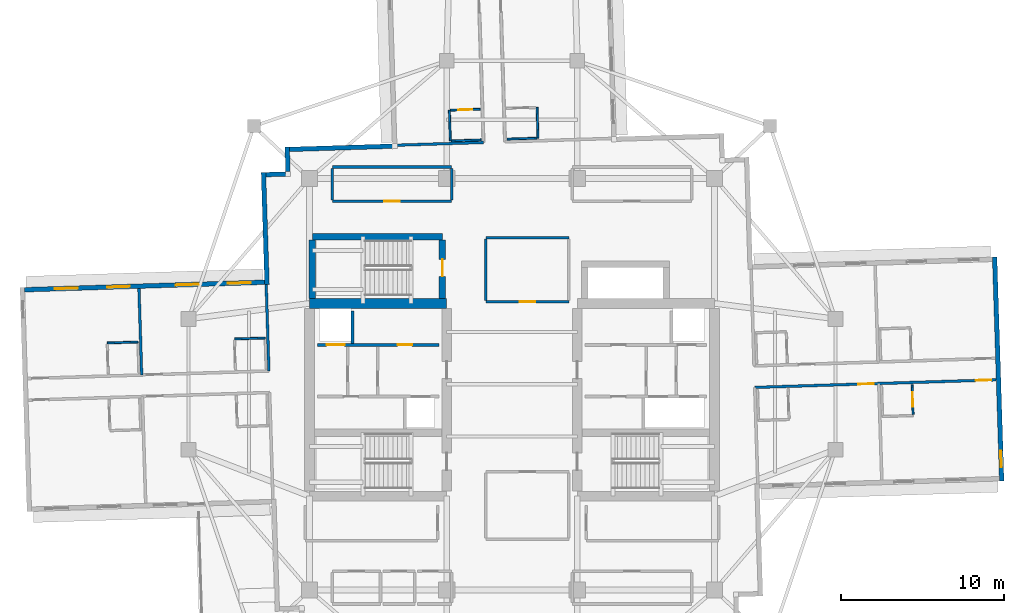
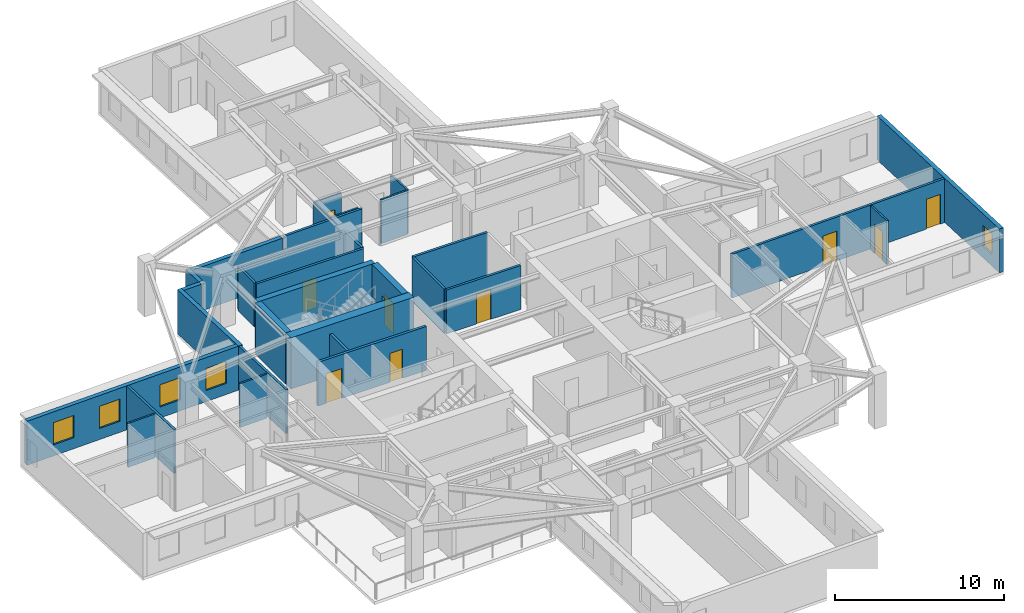
# One storey, part 6 of 12: 31 walls, 9 doors, 5 windows, 14 openings.
"""IFC4 building model written with IfcOpenShell, lengths in metres."""

from ifc_helpers import new_model, si_unit, direction, frame, frame_2d, origin, place, context, subcontext, project, spatial, rectangle, extrude, material, layer, layer_set, type_object, element, fill, save


model = new_model("IFC4")

# Units and contexts
model_context = context("Model", 3, precision=1e-05, world=origin(), true_north=direction((0.0, 1.0)))
body_context = subcontext(model_context, "Body", "Model", "MODEL_VIEW")
ifc_project = project(units=[si_unit("LENGTHUNIT", "METRE"), si_unit("AREAUNIT", "SQUARE_METRE"), si_unit("VOLUMEUNIT", "CUBIC_METRE"), si_unit("PLANEANGLEUNIT", "RADIAN"), si_unit("MASSUNIT", "GRAM", prefix="KILO")], contexts=[model_context])

# Site, building, storey
site_placement = place(None, origin())
site = spatial("IfcSite", under=ifc_project, at=site_placement, CompositionType="ELEMENT")
building_placement = place(site_placement, origin())
building = spatial("IfcBuilding", under=site, at=building_placement, Name="Qingluan Cross Belvedere", CompositionType="ELEMENT")
storey_placement = place(building_placement, frame((0.0, 0.0, 216.89990234375)))
storey = spatial("IfcBuildingStorey", under=building, at=storey_placement, Name="L54", CompositionType="ELEMENT", Elevation=216.89990234375)

# Walls
ifc_material_1 = material(Name="Concrete C50", Category="concrete")
ifc_layer_1 = layer(ifc_material_1, 0.449951171875, Name="CoreShearWall_450")
ifc_layer_set_1 = layer_set([ifc_layer_1], Name="Concrete C50")
wall_type_1 = type_object("IfcWallType", Name="CoreShearWall_450", PredefinedType="SHEAR", material=ifc_layer_set_1)
wall_1_placement = place(storey_placement, frame((-12.219970703125, 9.0400390625, 0.0), z_axis=(0.0, 0.0, 1.0), x_axis=(1.0, 0.0, 0.0)))
element("IfcWall", 1, at=wall_1_placement, inside=storey, type_object=wall_type_1, Name="Stair ST3 structural wall N L54", PredefinedType="SHEAR", context=body_context, shape_type="SweptSolid", body=[
    extrude(rectangle(XDim=7.9599609375, YDim=0.39990234375, at=frame_2d((3.97998046875, 0.0))), origin(), (0.0, 0.0, 1.0), 3.7001953125),
])
wall_2_placement = place(storey_placement, frame((-12.219970703125, 5.2548828125, 0.0), z_axis=(0.0, 0.0, 1.0), x_axis=(0.0, 1.0, 0.0)))
element("IfcWall", 2, at=wall_2_placement, inside=storey, type_object=wall_type_1, Name="Stair ST3 structural wall W L54", PredefinedType="SHEAR", context=body_context, shape_type="SweptSolid", body=[
    extrude(rectangle(XDim=3.580078125, YDim=0.39990234375, at=frame_2d((1.7900390625, 0.0))), origin(), (0.0, 0.0, 1.0), 3.7001953125),
])

# Wall, opening, door
wall_3_placement = place(storey_placement, frame((-4.260009765625, 5.2548828125, 0.0), z_axis=(0.0, 0.0, 1.0), x_axis=(0.0, 1.0, 0.0)))
wall_3 = element("IfcWall", 3, at=wall_3_placement, inside=storey, type_object=wall_type_1, Name="Stair ST3 structural wall E L54", PredefinedType="SHEAR", context=body_context, shape_type="SweptSolid", body=[
    extrude(rectangle(XDim=3.580078125, YDim=0.39990234375, at=frame_2d((1.7900390625, 0.0))), origin(), (0.0, 0.0, 1.0), 3.7001953125),
])
opening_1_placement = place(wall_3_placement, frame((1.344970703125, 0.0, 0.0)))
opening_1 = element("IfcOpeningElement", 4, at=opening_1_placement, cuts=wall_3, Name="Opening FD-B11", PredefinedType="OPENING", context=body_context, shape_type="SweptSolid", body=[
    extrude(rectangle(XDim=1.050048828125, YDim=2.14990234375, at=frame_2d((0.52490234375, 1.074951171875))), frame((0.0, 0.2099609375, 0.0), z_axis=(0.0, -1.0, 0.0), x_axis=(1.0, 0.0, 0.0)), (0.0, 0.0, 1.0), 0.419921875),
])
ifc_material_2 = material(Name="Steel Class B smoke-seal fire door", Category="steel")
door_type_1 = type_object("IfcDoorType", Name="StairLobbyFireDoor_FDB", OperationType="NOTDEFINED", PredefinedType="DOOR", material=ifc_material_2)
door_1_placement = place(opening_1_placement, origin())
door_1 = element("IfcDoor", 5, at=door_1_placement, inside=storey, type_object=door_type_1, Name="Smoke-proof stair ST3 fire door L54", OperationType="SINGLE_SWING_RIGHT", OverallHeight=2.14990234375, OverallWidth=1.050048828125, PredefinedType="DOOR", context=body_context, shape_type="SweptSolid", body=[
    extrude(rectangle(XDim=1.050048828125, YDim=2.14990234375, at=frame_2d((0.52490234375, 1.074951171875))), frame((0.0, 0.02490234375, 0.0), z_axis=(0.0, -1.0, 0.0), x_axis=(1.0, 0.0, 0.0)), (0.0, 0.0, 1.0), 0.050048828125),
])
fill(opening_1, door_1)

# Wall
ifc_material_3 = material(Name="Concrete C60", Category="concrete")
ifc_layer_2 = layer(ifc_material_3, 0.60009765625, Name="CoreShearWall_600")
ifc_layer_set_2 = layer_set([ifc_layer_2], Name="Concrete C60")
wall_type_2 = type_object("IfcWallType", Name="CoreShearWall_600", PredefinedType="SHEAR", material=ifc_layer_set_2)
wall_4_placement = place(storey_placement, frame((-12.39990234375, 4.949951171875, 0.0), z_axis=(0.0, 0.0, 1.0), x_axis=(1.0, 0.0, 0.0)))
element("IfcWall", 6, at=wall_4_placement, inside=storey, type_object=wall_type_2, Name="Split core W shear wall L54-N", PredefinedType="SHEAR", context=body_context, shape_type="SweptSolid", body=[
    extrude(rectangle(XDim=8.39990234375, YDim=0.60009765625, at=frame_2d((4.199951171875, 0.0))), origin(), (0.0, 0.0, 1.0), 3.7001953125),
])

# Wall, opening, door
ifc_material_4 = material(Name="Gypsum plasterboard on steel stud acoustic partition", Category="steel")
ifc_layer_3 = layer(ifc_material_4, 0.159912109375, Name="CorridorPartition_160")
ifc_layer_set_3 = layer_set([ifc_layer_3], Name="Gypsum plasterboard on steel stud acoustic partition")
wall_type_3 = type_object("IfcWallType", Name="CorridorPartition_160", PredefinedType="PARTITIONING", material=ifc_layer_set_3)
wall_5_placement = place(storey_placement, frame((-11.0, 11.199951171875, 0.0), z_axis=(0.0, 0.0, 1.0), x_axis=(1.0, 0.0, 0.0)))
wall_5 = element("IfcWall", 7, at=wall_5_placement, inside=storey, type_object=wall_type_3, Name="Partition L54:q_nw_occ:S", PredefinedType="PARTITIONING", context=body_context, shape_type="SweptSolid", body=[
    extrude(rectangle(XDim=7.300048828125, YDim=0.159912109375, at=frame_2d((3.64990234375, 0.0))), origin(), (0.0, 0.0, 1.0), 3.170166015625),
])
opening_2_placement = place(wall_5_placement, frame((3.169921875, 0.0, 0.0)))
opening_2 = element("IfcOpeningElement", 8, at=opening_2_placement, cuts=wall_5, Name="Opening GD-10", PredefinedType="OPENING", context=body_context, shape_type="SweptSolid", body=[
    extrude(rectangle(XDim=0.9599609375, YDim=2.14990234375, at=frame_2d((0.47998046875, 1.074951171875))), frame((0.0, 0.08984375, 0.0), z_axis=(0.0, -1.0, 0.0), x_axis=(1.0, 0.0, 0.0)), (0.0, 0.0, 1.0), 0.179931640625),
])
ifc_material_5 = material(Name="Timber oak fire-rated acoustic guestroom door", Category="wood")
door_type_2 = type_object("IfcDoorType", Name="GuestEntryDoor_FD60", OperationType="NOTDEFINED", PredefinedType="DOOR", material=ifc_material_5)
door_2_placement = place(opening_2_placement, origin())
door_2 = element("IfcDoor", 9, at=door_2_placement, inside=storey, type_object=door_type_2, Name="Northwest sky reading salon L54 door", OperationType="SINGLE_SWING_RIGHT", OverallHeight=2.14990234375, OverallWidth=0.9599609375, PredefinedType="DOOR", context=body_context, shape_type="SweptSolid", body=[
    extrude(rectangle(XDim=0.9599609375, YDim=2.14990234375, at=frame_2d((0.47998046875, 1.074951171875))), frame((0.0, 0.02490234375, 0.0), z_axis=(0.0, -1.0, 0.0), x_axis=(1.0, 0.0, 0.0)), (0.0, 0.0, 1.0), 0.050048828125),
])
fill(opening_2, door_2)

# Walls
wall_6_placement = place(storey_placement, frame((-11.0, 13.300048828125, 0.0), z_axis=(0.0, 0.0, 1.0), x_axis=(1.0, 0.0, 0.0)))
element("IfcWall", 10, at=wall_6_placement, inside=storey, type_object=wall_type_3, Name="Partition L54:q_nw_occ:N", PredefinedType="PARTITIONING", context=body_context, shape_type="SweptSolid", body=[
    extrude(rectangle(XDim=7.300048828125, YDim=0.159912109375, at=frame_2d((3.64990234375, 0.0))), origin(), (0.0, 0.0, 1.0), 3.170166015625),
])
for number, where, z_axis, x_axis, name in (
    (11, (-11.0, 11.284912109375, 0.0), (0.0, 0.0, 1.0), (0.0, 1.0, 0.0), "Partition L54:q_nw_occ:W"),
    (12, (-3.699951171875, 11.284912109375, 0.0), (0.0, 0.0, 1.0), (0.0, 1.0, 0.0), "Partition L54:q_nw_occ:E"),
):
    element("IfcWall", number, at=place(storey_placement, frame(where, z_axis=z_axis, x_axis=x_axis)), inside=storey, type_object=wall_type_3, Name=name, PredefinedType="PARTITIONING", context=body_context, shape_type="SweptSolid", body=[
        extrude(rectangle(XDim=1.93017578125, YDim=0.159912109375, at=frame_2d((0.965087890625, 0.0))), origin(), (0.0, 0.0, 1.0), 3.170166015625),
    ])

# Wall, opening, door
wall_7_placement = place(storey_placement, frame((-1.60009765625, 5.050048828125, 0.0), z_axis=(0.0, 0.0, 1.0), x_axis=(1.0, 0.0, 0.0)))
wall_7 = element("IfcWall", 13, at=wall_7_placement, inside=storey, type_object=wall_type_3, Name="Partition L54:sky_tea_alcove:S", PredefinedType="PARTITIONING", context=body_context, shape_type="SweptSolid", body=[
    extrude(rectangle(XDim=5.080078125, YDim=0.159912109375, at=frame_2d((2.5400390625, 0.0))), origin(), (0.0, 0.0, 1.0), 3.170166015625),
])
opening_3_placement = place(wall_7_placement, frame((2.06005859375, 0.0, 0.0)))
opening_3 = element("IfcOpeningElement", 14, at=opening_3_placement, cuts=wall_7, Name="Opening GD-10", PredefinedType="OPENING", context=body_context, shape_type="SweptSolid", body=[
    extrude(rectangle(XDim=0.9599609375, YDim=2.14990234375, at=frame_2d((0.47998046875, 1.074951171875))), frame((0.0, 0.08984375, 0.0), z_axis=(0.0, -1.0, 0.0), x_axis=(1.0, 0.0, 0.0)), (0.0, 0.0, 1.0), 0.179931640625),
])
door_3_placement = place(opening_3_placement, origin())
door_3 = element("IfcDoor", 15, at=door_3_placement, inside=storey, type_object=door_type_2, Name="Sky horizon tea salon L54 door", OperationType="SINGLE_SWING_RIGHT", OverallHeight=2.14990234375, OverallWidth=0.9599609375, PredefinedType="DOOR", context=body_context, shape_type="SweptSolid", body=[
    extrude(rectangle(XDim=0.9599609375, YDim=2.14990234375, at=frame_2d((0.47998046875, 1.074951171875))), frame((0.0, 0.02490234375, 0.0), z_axis=(0.0, -1.0, 0.0), x_axis=(1.0, 0.0, 0.0)), (0.0, 0.0, 1.0), 0.050048828125),
])
fill(opening_3, door_3)

# Walls
wall_8_placement = place(storey_placement, frame((-1.60009765625, 8.97998046875, 0.0), z_axis=(0.0, 0.0, 1.0), x_axis=(1.0, 0.0, 0.0)))
element("IfcWall", 16, at=wall_8_placement, inside=storey, type_object=wall_type_3, Name="Partition L54:sky_tea_alcove:N", PredefinedType="PARTITIONING", context=body_context, shape_type="SweptSolid", body=[
    extrude(rectangle(XDim=5.080078125, YDim=0.159912109375, at=frame_2d((2.5400390625, 0.0))), origin(), (0.0, 0.0, 1.0), 3.170166015625),
])
wall_9_placement = place(storey_placement, frame((-1.60009765625, 5.135009765625, 0.0), z_axis=(0.0, 0.0, 1.0), x_axis=(0.0, 1.0, 0.0)))
element("IfcWall", 17, at=wall_9_placement, inside=storey, type_object=wall_type_3, Name="Partition L54:sky_tea_alcove:W", PredefinedType="PARTITIONING", context=body_context, shape_type="SweptSolid", body=[
    extrude(rectangle(XDim=3.760009765625, YDim=0.159912109375, at=frame_2d((1.8798828125, 0.0))), origin(), (0.0, 0.0, 1.0), 3.170166015625),
])

# Wall, openings, doors
wall_10_placement = place(storey_placement, frame((14.86328125, -0.193115234375, 0.0), z_axis=(0.0, 0.0, 1.0), x_axis=(0.999507003481, 0.031396655766, 0.0)))
wall_10 = element("IfcWall", 18, at=wall_10_placement, inside=storey, type_object=wall_type_3, Name="Partition L54:E:c1", PredefinedType="PARTITIONING", context=body_context, shape_type="SweptSolid", body=[
    extrude(rectangle(XDim=14.7822265625, YDim=0.159912109375, at=frame_2d((7.39111328125, 0.0))), origin(), (0.0, 0.0, 1.0), 3.170166015625),
])
opening_4_placement = place(wall_10_placement, frame((6.3359375, 0.0, 0.0)))
opening_4 = element("IfcOpeningElement", 19, at=opening_4_placement, cuts=wall_10, Name="Opening GD-10", PredefinedType="OPENING", context=body_context, shape_type="SweptSolid", body=[
    extrude(rectangle(XDim=0.9599609375, YDim=2.14990234375, at=frame_2d((0.47998046875, 1.074951171875))), frame((0.0, 0.08984375, 0.0), z_axis=(0.0, -1.0, 0.0), x_axis=(1.0, 0.0, 0.0)), (0.0, 0.0, 1.0), 0.179931640625),
])
opening_5_placement = place(wall_10_placement, frame((13.530029296875, 0.0, 0.0)))
opening_5 = element("IfcOpeningElement", 20, at=opening_5_placement, cuts=wall_10, Name="Opening GD-10", PredefinedType="OPENING", context=body_context, shape_type="SweptSolid", body=[
    extrude(rectangle(XDim=0.9599609375, YDim=2.14990234375, at=frame_2d((0.47998046875, 1.074951171875))), frame((0.0, 0.08984375, 0.0), z_axis=(0.0, -1.0, 0.0), x_axis=(1.0, 0.0, 0.0)), (0.0, 0.0, 1.0), 0.179931640625),
])
door_4_placement = place(opening_4_placement, origin())
door_4 = element("IfcDoor", 21, at=door_4_placement, inside=storey, type_object=door_type_2, Name="Guest entry fire door 5403", OperationType="SINGLE_SWING_RIGHT", OverallHeight=2.14990234375, OverallWidth=0.9599609375, PredefinedType="DOOR", context=body_context, shape_type="SweptSolid", body=[
    extrude(rectangle(XDim=0.9599609375, YDim=2.14990234375, at=frame_2d((0.47998046875, 1.074951171875))), frame((0.0, 0.02490234375, 0.0), z_axis=(0.0, -1.0, 0.0), x_axis=(1.0, 0.0, 0.0)), (0.0, 0.0, 1.0), 0.050048828125),
])
fill(opening_4, door_4)
door_5_placement = place(opening_5_placement, origin())
door_5 = element("IfcDoor", 22, at=door_5_placement, inside=storey, type_object=door_type_2, Name="Guest entry fire door 5404", OperationType="SINGLE_SWING_RIGHT", OverallHeight=2.14990234375, OverallWidth=0.9599609375, PredefinedType="DOOR", context=body_context, shape_type="SweptSolid", body=[
    extrude(rectangle(XDim=0.9599609375, YDim=2.14990234375, at=frame_2d((0.47998046875, 1.074951171875))), frame((0.0, 0.02490234375, 0.0), z_axis=(0.0, -1.0, 0.0), x_axis=(1.0, 0.0, 0.0)), (0.0, 0.0, 1.0), 0.050048828125),
])
fill(opening_5, door_5)

# Walls
for number, where, z_axis, x_axis, name in (
    (23, (-14.8828125, 0.81298828125, 0.0), (0.0, 0.0, 1.0), (-0.031463758933, 0.999504893372, 0.0), "Partition L54:W:s0"),
    (24, (-22.672119140625, 0.568115234375, 0.0), (0.0, 0.0, 1.0), (-0.031371580787, 0.999507790825, 0.0), "Partition L54:W:d0_0"),
):
    element("IfcWall", number, at=place(storey_placement, frame(where, z_axis=z_axis, x_axis=x_axis)), inside=storey, type_object=wall_type_3, Name=name, PredefinedType="PARTITIONING", context=body_context, shape_type="SweptSolid", body=[
        extrude(rectangle(XDim=5.2919921875, YDim=0.159912109375, at=frame_2d((2.64599609375, 0.0))), origin(), (0.0, 0.0, 1.0), 3.170166015625),
    ])
wall_11_placement = place(storey_placement, frame((-1.745849609375, 14.802490234375, 0.0), z_axis=(0.0, 0.0, 1.0), x_axis=(-0.999506411524, -0.031415494952, 0.0)))
element("IfcWall", 25, at=wall_11_placement, inside=storey, type_object=wall_type_3, Name="Partition L54:N:s1", PredefinedType="PARTITIONING", context=body_context, shape_type="SweptSolid", body=[
    extrude(rectangle(XDim=5.43994140625, YDim=0.159912109375, at=frame_2d((2.719970703125, 0.0))), origin(), (0.0, 0.0, 1.0), 3.170166015625),
])

# Wall, opening, door
ifc_material_6 = material(Name="Moisture-resistant gypsum board lining")
ifc_layer_4 = layer(ifc_material_6, 0.1201171875, Name="EnsuiteWetPartition_120")
ifc_layer_set_4 = layer_set([ifc_layer_4], Name="Moisture-resistant gypsum board lining")
wall_type_4 = type_object("IfcWallType", Name="EnsuiteWetPartition_120", PredefinedType="PARTITIONING", material=ifc_layer_set_4)
wall_12_placement = place(storey_placement, frame((24.55615234375, -1.849609375, 0.0), z_axis=(0.0, 0.0, 1.0), x_axis=(-0.031389704724, 0.999507221803, 0.0)))
wall_12 = element("IfcWall", 26, at=wall_12_placement, inside=storey, type_object=wall_type_4, Name="Partition L54:E:bs1_1", PredefinedType="PARTITIONING", context=body_context, shape_type="SweptSolid", body=[
    extrude(rectangle(XDim=1.820068359375, YDim=0.1201171875, at=frame_2d((0.91015625, 0.0))), origin(), (0.0, 0.0, 1.0), 3.170166015625),
])
opening_6_placement = place(wall_12_placement, frame((0.469970703125, 0.0, 0.0)))
opening_6 = element("IfcOpeningElement", 27, at=opening_6_placement, cuts=wall_12, Name="Opening BD-09", PredefinedType="OPENING", context=body_context, shape_type="SweptSolid", body=[
    extrude(rectangle(XDim=0.8798828125, YDim=2.10009765625, at=frame_2d((0.43994140625, 1.050048828125))), frame((0.0, 0.070068359375, 0.0), z_axis=(0.0, -1.0, 0.0), x_axis=(1.0, 0.0, 0.0)), (0.0, 0.0, 1.0), 0.14013671875),
])
ifc_material_7 = material(Name="Moisture-sealed timber en-suite door", Category="wood")
door_type_3 = type_object("IfcDoorType", Name="BathroomDoor_880", OperationType="NOTDEFINED", PredefinedType="DOOR", material=ifc_material_7)
door_6_placement = place(opening_6_placement, origin())
door_6 = element("IfcDoor", 28, at=door_6_placement, inside=storey, type_object=door_type_3, Name="Bathroom door 5404", OperationType="SINGLE_SWING_LEFT", OverallHeight=2.10009765625, OverallWidth=0.8798828125, PredefinedType="DOOR", context=body_context, shape_type="SweptSolid", body=[
    extrude(rectangle(XDim=0.8798828125, YDim=2.10009765625, at=frame_2d((0.43994140625, 1.050048828125))), frame((0.0, 0.02490234375, 0.0), z_axis=(0.0, -1.0, 0.0), x_axis=(1.0, 0.0, 0.0)), (0.0, 0.0, 1.0), 0.050048828125),
])
fill(opening_6, door_6)

# Walls
for number, where, z_axis, x_axis, name in (
    (29, (-15.1064453125, 2.831787109375, 0.0), (0.0, 0.0, 1.0), (-0.999506103526, -0.031425292588, 0.0), "Partition L54:W:bn0_0"),
    (30, (-22.8955078125, 2.587158203125, 0.0), (0.0, 0.0, 1.0), (-0.999506103526, -0.031425292588, 0.0), "Partition L54:W:bn0_1"),
):
    element("IfcWall", number, at=place(storey_placement, frame(where, z_axis=z_axis, x_axis=x_axis)), inside=storey, type_object=wall_type_4, Name=name, PredefinedType="PARTITIONING", context=body_context, shape_type="SweptSolid", body=[
        extrude(rectangle(XDim=1.880126953125, YDim=0.1201171875, at=frame_2d((0.93994140625, 0.0))), origin(), (0.0, 0.0, 1.0), 3.170166015625),
    ])
wall_13_placement = place(storey_placement, frame((-0.29150390625, 15.00830078125, 0.0), z_axis=(0.0, 0.0, 1.0), x_axis=(0.999507221803, 0.031389704724, 0.0)))
element("IfcWall", 31, at=wall_13_placement, inside=storey, type_object=wall_type_4, Name="Partition L54:N:bw0_0", PredefinedType="PARTITIONING", context=body_context, shape_type="SweptSolid", body=[
    extrude(rectangle(XDim=1.820068359375, YDim=0.1201171875, at=frame_2d((0.91015625, 0.0))), origin(), (0.0, 0.0, 1.0), 3.170166015625),
])
wall_14_placement = place(storey_placement, frame((1.592529296875, 15.0673828125, 0.0), z_axis=(0.0, 0.0, 1.0), x_axis=(-0.031425292588, 0.999506103526, 0.0)))
element("IfcWall", 32, at=wall_14_placement, inside=storey, type_object=wall_type_4, Name="Partition L54:N:bn0_0", PredefinedType="PARTITIONING", context=body_context, shape_type="SweptSolid", body=[
    extrude(rectangle(XDim=1.880126953125, YDim=0.1201171875, at=frame_2d((0.93994140625, 0.0))), origin(), (0.0, 0.0, 1.0), 3.170166015625),
])

# Wall, opening, door
wall_15_placement = place(storey_placement, frame((-3.768798828125, 16.77978515625, 0.0), z_axis=(0.0, 0.0, 1.0), x_axis=(0.999503004171, 0.03152371574, 0.0)))
wall_15 = element("IfcWall", 33, at=wall_15_placement, inside=storey, type_object=wall_type_4, Name="Partition L54:N:bs1_0", PredefinedType="PARTITIONING", context=body_context, shape_type="SweptSolid", body=[
    extrude(rectangle(XDim=1.820068359375, YDim=0.1201171875, at=frame_2d((0.91015625, 0.0))), origin(), (0.0, 0.0, 1.0), 3.170166015625),
])
opening_7_placement = place(wall_15_placement, frame((0.469970703125, 0.0, 0.0)))
opening_7 = element("IfcOpeningElement", 34, at=opening_7_placement, cuts=wall_15, Name="Opening BD-09", PredefinedType="OPENING", context=body_context, shape_type="SweptSolid", body=[
    extrude(rectangle(XDim=0.8798828125, YDim=2.10009765625, at=frame_2d((0.43994140625, 1.050048828125))), frame((0.0, 0.070068359375, 0.0), z_axis=(0.0, -1.0, 0.0), x_axis=(1.0, 0.0, 0.0)), (0.0, 0.0, 1.0), 0.14013671875),
])
door_7_placement = place(opening_7_placement, origin())
door_7 = element("IfcDoor", 35, at=door_7_placement, inside=storey, type_object=door_type_3, Name="Bathroom door 5411", OperationType="SINGLE_SWING_LEFT", OverallHeight=2.10009765625, OverallWidth=0.8798828125, PredefinedType="DOOR", context=body_context, shape_type="SweptSolid", body=[
    extrude(rectangle(XDim=0.8798828125, YDim=2.10009765625, at=frame_2d((0.43994140625, 1.050048828125))), frame((0.0, 0.02490234375, 0.0), z_axis=(0.0, -1.0, 0.0), x_axis=(1.0, 0.0, 0.0)), (0.0, 0.0, 1.0), 0.050048828125),
])
fill(opening_7, door_7)

# Walls
wall_16_placement = place(storey_placement, frame((-3.7099609375, 14.90087890625, 0.0), z_axis=(0.0, 0.0, 1.0), x_axis=(0.999507221803, 0.031389704724, 0.0)))
element("IfcWall", 36, at=wall_16_placement, inside=storey, type_object=wall_type_4, Name="Partition L54:N:bw1_0", PredefinedType="PARTITIONING", context=body_context, shape_type="SweptSolid", body=[
    extrude(rectangle(XDim=1.820068359375, YDim=0.1201171875, at=frame_2d((0.91015625, 0.0))), origin(), (0.0, 0.0, 1.0), 3.170166015625),
])
wall_17_placement = place(storey_placement, frame((-3.77490234375, 14.898681640625, 0.0), z_axis=(0.0, 0.0, 1.0), x_axis=(-0.031425292588, 0.999506103526, 0.0)))
element("IfcWall", 37, at=wall_17_placement, inside=storey, type_object=wall_type_4, Name="Partition L54:N:bc1_0", PredefinedType="PARTITIONING", context=body_context, shape_type="SweptSolid", body=[
    extrude(rectangle(XDim=1.880126953125, YDim=0.1201171875, at=frame_2d((0.93994140625, 0.0))), origin(), (0.0, 0.0, 1.0), 3.170166015625),
])

# Wall, opening, window
ifc_material_8 = material(Name="Precast concrete C45", Category="concrete")
ifc_layer_5 = layer(ifc_material_8, 0.280029296875, Name="PrecastFacadeWall_280")
ifc_layer_set_5 = layer_set([ifc_layer_5], Name="Precast concrete C45")
wall_type_5 = type_object("IfcWallType", Name="PrecastFacadeWall_280", PredefinedType="STANDARD", material=ifc_layer_set_5)
wall_18_placement = place(storey_placement, frame((29.980712890625, -5.921142578125, 0.0), z_axis=(0.0, 0.0, 1.0), x_axis=(-0.031407524763, 0.999506662003, 0.0)))
wall_18 = element("IfcWall", 38, at=wall_18_placement, inside=storey, type_object=wall_type_5, Name="Arm tip precast facade wall L54-E", PredefinedType="STANDARD", context=body_context, shape_type="SweptSolid", body=[
    extrude(rectangle(XDim=13.719970703125, YDim=0.280029296875, at=frame_2d((6.85986328125, 0.0))), origin(), (0.0, 0.0, 1.0), 3.18017578125),
])
opening_8_placement = place(wall_18_placement, frame((0.85009765625, 0.0, 0.85009765625)))
opening_8 = element("IfcOpeningElement", 39, at=opening_8_placement, cuts=wall_18, Name="Opening W-03", PredefinedType="OPENING", context=body_context, shape_type="SweptSolid", body=[
    extrude(rectangle(XDim=1.0, YDim=1.5, at=frame_2d((0.5, 0.75))), frame((0.0, 0.14990234375, 0.0), z_axis=(0.0, -1.0, 0.0), x_axis=(1.0, 0.0, 0.0)), (0.0, 0.0, 1.0), 0.300048828125),
])
ifc_material_9 = material(Name="Thermally broken triple Low-E glass in aluminium frame", Category="aluminium")
window_type_1 = type_object("IfcWindowType", Name="TriApexWin_1000x1500", PartitioningType="SINGLE_PANEL", PredefinedType="WINDOW", material=ifc_material_9)
window_1_placement = place(opening_8_placement, origin())
window_1 = element("IfcWindow", 40, at=window_1_placement, inside=storey, type_object=window_type_1, Name="Arm tip triangular window L54-E", OverallHeight=1.5, OverallWidth=1.0, PartitioningType="SINGLE_PANEL", PredefinedType="WINDOW", context=body_context, shape_type="SweptSolid", body=[
    extrude(rectangle(XDim=1.0, YDim=1.5, at=frame_2d((0.5, 0.75))), frame((0.0, 0.030029296875, 0.0), z_axis=(0.0, -1.0, 0.0), x_axis=(1.0, 0.0, 0.0)), (0.0, 0.0, 1.0), 0.06005859375),
])
fill(opening_8, window_1)

# Wall, openings, windows
wall_19_placement = place(storey_placement, frame((-15.143798828125, 6.247314453125, 0.0), z_axis=(0.0, 0.0, 1.0), x_axis=(-0.999506698073, -0.031406376864, 0.0)))
wall_19 = element("IfcWall", 41, at=wall_19_placement, inside=storey, type_object=wall_type_5, Name="Facade wall L54-WA", PredefinedType="STANDARD", context=body_context, shape_type="SweptSolid", body=[
    extrude(rectangle(XDim=14.699951171875, YDim=0.280029296875, at=frame_2d((7.35009765625, 0.0))), origin(), (0.0, 0.0, 1.0), 3.18017578125),
])
opening_9_placement = place(wall_19_placement, frame((0.85009765625, 0.0, 0.800048828125)))
opening_9 = element("IfcOpeningElement", 42, at=opening_9_placement, cuts=wall_19, Name="Opening W-01", PredefinedType="OPENING", context=body_context, shape_type="SweptSolid", body=[
    extrude(rectangle(XDim=1.39990234375, YDim=1.60009765625, at=frame_2d((0.699951171875, 0.800048828125))), frame((0.0, 0.14990234375, 0.0), z_axis=(0.0, -1.0, 0.0), x_axis=(1.0, 0.0, 0.0)), (0.0, 0.0, 1.0), 0.300048828125),
])
opening_10_placement = place(wall_19_placement, frame((4.050048828125, 0.0, 0.800048828125)))
opening_10 = element("IfcOpeningElement", 43, at=opening_10_placement, cuts=wall_19, Name="Opening W-01", PredefinedType="OPENING", context=body_context, shape_type="SweptSolid", body=[
    extrude(rectangle(XDim=1.39990234375, YDim=1.60009765625, at=frame_2d((0.699951171875, 0.800048828125))), frame((0.0, 0.14990234375, 0.0), z_axis=(0.0, -1.0, 0.0), x_axis=(1.0, 0.0, 0.0)), (0.0, 0.0, 1.0), 0.300048828125),
])
opening_11_placement = place(wall_19_placement, frame((8.25, 0.0, 0.800048828125)))
opening_11 = element("IfcOpeningElement", 44, at=opening_11_placement, cuts=wall_19, Name="Opening W-01", PredefinedType="OPENING", context=body_context, shape_type="SweptSolid", body=[
    extrude(rectangle(XDim=1.39990234375, YDim=1.60009765625, at=frame_2d((0.699951171875, 0.800048828125))), frame((0.0, 0.14990234375, 0.0), z_axis=(0.0, -1.0, 0.0), x_axis=(1.0, 0.0, 0.0)), (0.0, 0.0, 1.0), 0.300048828125),
])
opening_12_placement = place(wall_19_placement, frame((11.449951171875, 0.0, 0.800048828125)))
opening_12 = element("IfcOpeningElement", 45, at=opening_12_placement, cuts=wall_19, Name="Opening W-01", PredefinedType="OPENING", context=body_context, shape_type="SweptSolid", body=[
    extrude(rectangle(XDim=1.39990234375, YDim=1.60009765625, at=frame_2d((0.699951171875, 0.800048828125))), frame((0.0, 0.14990234375, 0.0), z_axis=(0.0, -1.0, 0.0), x_axis=(1.0, 0.0, 0.0)), (0.0, 0.0, 1.0), 0.300048828125),
])
ifc_material_10 = material(Name="Thermally broken triple Low-E glass in aluminium frame", Category="aluminium")
window_type_2 = type_object("IfcWindowType", Name="TriRibbonWin_1400x1600", PartitioningType="SINGLE_PANEL", PredefinedType="WINDOW", material=ifc_material_10)
window_2_placement = place(opening_9_placement, origin())
window_2 = element("IfcWindow", 46, at=window_2_placement, inside=storey, type_object=window_type_2, Name="Ribbon window L54-WA-1", OverallHeight=1.60009765625, OverallWidth=1.39990234375, PartitioningType="SINGLE_PANEL", PredefinedType="WINDOW", context=body_context, shape_type="SweptSolid", body=[
    extrude(rectangle(XDim=1.39990234375, YDim=1.60009765625, at=frame_2d((0.699951171875, 0.800048828125))), frame((0.0, 0.030029296875, 0.0), z_axis=(0.0, -1.0, 0.0), x_axis=(1.0, 0.0, 0.0)), (0.0, 0.0, 1.0), 0.06005859375),
])
fill(opening_9, window_2)
window_3_placement = place(opening_10_placement, origin())
window_3 = element("IfcWindow", 47, at=window_3_placement, inside=storey, type_object=window_type_2, Name="Ribbon window L54-WA-2", OverallHeight=1.60009765625, OverallWidth=1.39990234375, PartitioningType="SINGLE_PANEL", PredefinedType="WINDOW", context=body_context, shape_type="SweptSolid", body=[
    extrude(rectangle(XDim=1.39990234375, YDim=1.60009765625, at=frame_2d((0.699951171875, 0.800048828125))), frame((0.0, 0.030029296875, 0.0), z_axis=(0.0, -1.0, 0.0), x_axis=(1.0, 0.0, 0.0)), (0.0, 0.0, 1.0), 0.06005859375),
])
fill(opening_10, window_3)
window_4_placement = place(opening_11_placement, origin())
window_4 = element("IfcWindow", 48, at=window_4_placement, inside=storey, type_object=window_type_2, Name="Ribbon window L54-WA-3", OverallHeight=1.60009765625, OverallWidth=1.39990234375, PartitioningType="SINGLE_PANEL", PredefinedType="WINDOW", context=body_context, shape_type="SweptSolid", body=[
    extrude(rectangle(XDim=1.39990234375, YDim=1.60009765625, at=frame_2d((0.699951171875, 0.800048828125))), frame((0.0, 0.030029296875, 0.0), z_axis=(0.0, -1.0, 0.0), x_axis=(1.0, 0.0, 0.0)), (0.0, 0.0, 1.0), 0.06005859375),
])
fill(opening_11, window_4)
window_5_placement = place(opening_12_placement, origin())
window_5 = element("IfcWindow", 49, at=window_5_placement, inside=storey, type_object=window_type_2, Name="Ribbon window L54-WA-4", OverallHeight=1.60009765625, OverallWidth=1.39990234375, PartitioningType="SINGLE_PANEL", PredefinedType="WINDOW", context=body_context, shape_type="SweptSolid", body=[
    extrude(rectangle(XDim=1.39990234375, YDim=1.60009765625, at=frame_2d((0.699951171875, 0.800048828125))), frame((0.0, 0.030029296875, 0.0), z_axis=(0.0, -1.0, 0.0), x_axis=(1.0, 0.0, 0.0)), (0.0, 0.0, 1.0), 0.06005859375),
])
fill(opening_12, window_5)

# Walls
wall_20_placement = place(storey_placement, frame((-14.99951171875, 6.11181640625, 0.0), z_axis=(0.0, 0.0, 1.0), x_axis=(-0.031389189386, 0.999507237988, 0.0)))
element("IfcWall", 50, at=wall_20_placement, inside=storey, type_object=wall_type_5, Name="Corner wall L54-NW1", PredefinedType="STANDARD", context=body_context, shape_type="SweptSolid", body=[
    extrude(rectangle(XDim=6.860107421875, YDim=0.280029296875, at=frame_2d((3.43017578125, 0.0))), origin(), (0.0, 0.0, 1.0), 3.18017578125),
])
wall_21_placement = place(storey_placement, frame((-15.070556640625, 12.8330078125, 0.0), z_axis=(0.0, 0.0, 1.0), x_axis=(0.999506398264, 0.031415916822, 0.0)))
element("IfcWall", 51, at=wall_21_placement, inside=storey, type_object=wall_type_5, Name="Corner wall L54-NW2", PredefinedType="STANDARD", context=body_context, shape_type="SweptSolid", body=[
    extrude(rectangle(XDim=1.219970703125, YDim=0.280029296875, at=frame_2d((0.60986328125, 0.0))), origin(), (0.0, 0.0, 1.0), 3.18017578125),
])
wall_22_placement = place(storey_placement, frame((-13.715576171875, 13.015625, 0.0), z_axis=(0.0, 0.0, 1.0), x_axis=(-0.031412596484, 0.999506502621, 0.0)))
element("IfcWall", 52, at=wall_22_placement, inside=storey, type_object=wall_type_5, Name="Corner wall L54-NW3", PredefinedType="STANDARD", context=body_context, shape_type="SweptSolid", body=[
    extrude(rectangle(XDim=1.5, YDim=0.280029296875, at=frame_2d((0.75, 0.0))), origin(), (0.0, 0.0, 1.0), 3.18017578125),
])
wall_23_placement = place(storey_placement, frame((-13.618408203125, 14.37939453125, 0.0), z_axis=(0.0, 0.0, 1.0), x_axis=(0.999507224741, 0.031389611199, 0.0)))
element("IfcWall", 53, at=wall_23_placement, inside=storey, type_object=wall_type_5, Name="Corner wall L54-NW4", PredefinedType="STANDARD", context=body_context, shape_type="SweptSolid", body=[
    extrude(rectangle(XDim=6.300048828125, YDim=0.280029296875, at=frame_2d((3.14990234375, 0.0))), origin(), (0.0, 0.0, 1.0), 3.18017578125),
])

# Wall, openings, doors
ifc_material_11 = material(Name="Concrete C40", Category="concrete")
ifc_layer_6 = layer(ifc_material_11, 0.219970703125, Name="ShaftEnclosureWall_250")
ifc_layer_set_6 = layer_set([ifc_layer_6], Name="Concrete C40")
wall_type_6 = type_object("IfcWallType", Name="ShaftEnclosureWall_250", PredefinedType="SOLIDWALL", material=ifc_layer_set_6)
wall_24_placement = place(storey_placement, frame((-11.89990234375, 2.409912109375, 0.0), z_axis=(0.0, 0.0, 1.0), x_axis=(1.0, 0.0, 0.0)))
wall_24 = element("IfcWall", 54, at=wall_24_placement, inside=storey, type_object=wall_type_6, Name="Core-W north hoistway wall L54", PredefinedType="SOLIDWALL", context=body_context, shape_type="SweptSolid", body=[
    extrude(rectangle(XDim=7.419921875, YDim=0.179931640625, at=frame_2d((3.7099609375, 0.0))), origin(), (0.0, 0.0, 1.0), 3.170166015625),
])
opening_13_placement = place(wall_24_placement, frame((0.550048828125, 0.0, 0.0)))
opening_13 = element("IfcOpeningElement", 55, at=opening_13_placement, cuts=wall_24, Name="Opening LD-11", PredefinedType="OPENING", context=body_context, shape_type="SweptSolid", body=[
    extrude(rectangle(XDim=1.10009765625, YDim=2.14990234375, at=frame_2d((0.550048828125, 1.074951171875))), frame((0.0, 0.099853515625, 0.0), z_axis=(0.0, -1.0, 0.0), x_axis=(1.0, 0.0, 0.0)), (0.0, 0.0, 1.0), 0.199951171875),
])
opening_14_placement = place(wall_24_placement, frame((4.89990234375, 0.0, 0.0)))
opening_14 = element("IfcOpeningElement", 56, at=opening_14_placement, cuts=wall_24, Name="Opening FD-B10", PredefinedType="OPENING", context=body_context, shape_type="SweptSolid", body=[
    extrude(rectangle(XDim=0.8798828125, YDim=2.10009765625, at=frame_2d((0.43994140625, 1.050048828125))), frame((0.0, 0.099853515625, 0.0), z_axis=(0.0, -1.0, 0.0), x_axis=(1.0, 0.0, 0.0)), (0.0, 0.0, 1.0), 0.199951171875),
])
ifc_material_12 = material(Name="Brushed stainless steel centre-opening lift landing door", Category="steel")
door_type_4 = type_object("IfcDoorType", Name="LiftLandingSlidingDoor_1100", OperationType="DOUBLE_DOOR_SLIDING", PredefinedType="DOOR", material=ifc_material_12)
door_8_placement = place(opening_13_placement, origin())
door_8 = element("IfcDoor", 57, at=door_8_placement, inside=storey, type_object=door_type_4, Name="Lift landing sliding door FL1 L54", OperationType="DOUBLE_DOOR_SLIDING", OverallHeight=2.14990234375, OverallWidth=1.10009765625, PredefinedType="DOOR", context=body_context, shape_type="SweptSolid", body=[
    extrude(rectangle(XDim=1.10009765625, YDim=2.14990234375, at=frame_2d((0.550048828125, 1.074951171875))), frame((0.0, 0.02490234375, 0.0), z_axis=(0.0, -1.0, 0.0), x_axis=(1.0, 0.0, 0.0)), (0.0, 0.0, 1.0), 0.050048828125),
])
fill(opening_13, door_8)
ifc_material_13 = material(Name="Steel Class B service fire door", Category="steel")
door_type_5 = type_object("IfcDoorType", Name="RiserServiceFireDoor_FDB", OperationType="NOTDEFINED", PredefinedType="DOOR", material=ifc_material_13)
door_9_placement = place(opening_14_placement, origin())
door_9 = element("IfcDoor", 58, at=door_9_placement, inside=storey, type_object=door_type_5, Name="Housekeeping supply room door W L54", OperationType="SINGLE_SWING_LEFT", OverallHeight=2.10009765625, OverallWidth=0.8798828125, PredefinedType="DOOR", context=body_context, shape_type="SweptSolid", body=[
    extrude(rectangle(XDim=0.8798828125, YDim=2.10009765625, at=frame_2d((0.43994140625, 1.050048828125))), frame((0.0, 0.02490234375, 0.0), z_axis=(0.0, -1.0, 0.0), x_axis=(1.0, 0.0, 0.0)), (0.0, 0.0, 1.0), 0.050048828125),
])
fill(opening_14, door_9)

# Wall
wall_25_placement = place(storey_placement, frame((-9.760009765625, 2.5, 0.0), z_axis=(0.0, 0.0, 1.0), x_axis=(0.0, 1.0, 0.0)))
element("IfcWall", 59, at=wall_25_placement, inside=storey, type_object=wall_type_6, Name="Hoistway enclosure divider FL1E L54", PredefinedType="SOLIDWALL", context=body_context, shape_type="SweptSolid", body=[
    extrude(rectangle(XDim=1.989990234375, YDim=0.179931640625, at=frame_2d((0.9951171875, 0.0))), origin(), (0.0, 0.0, 1.0), 3.170166015625),
])

save(model, "model.ifc")
